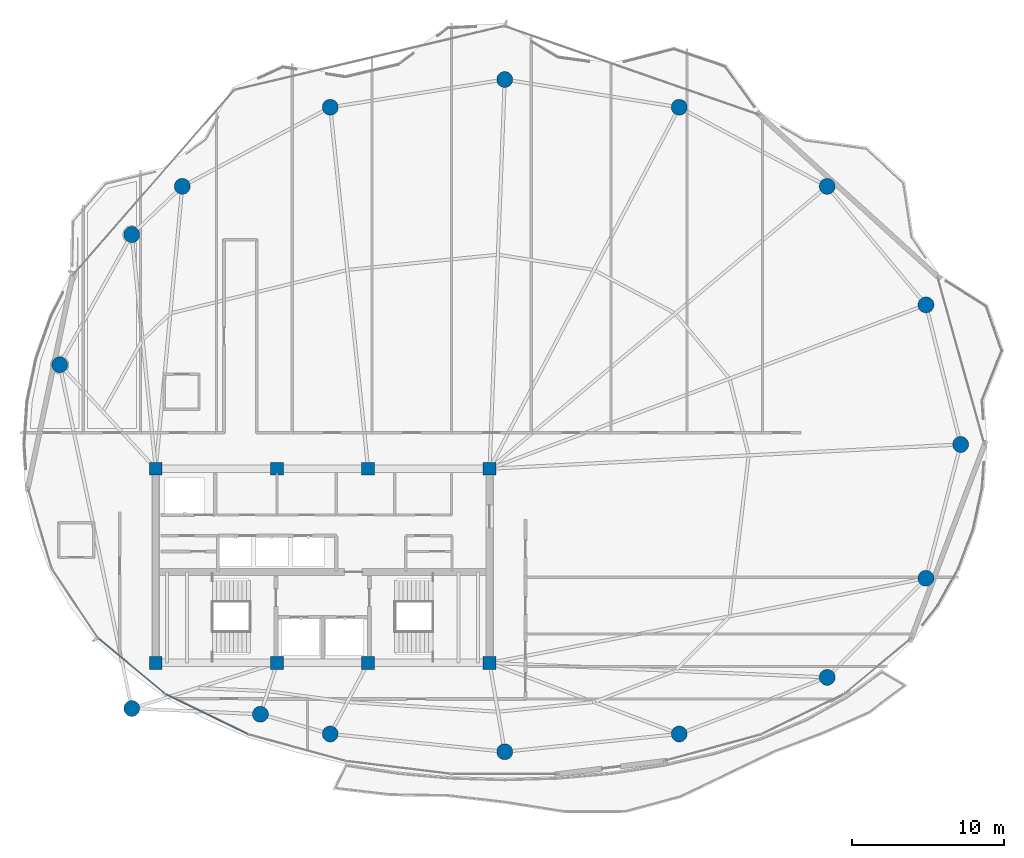
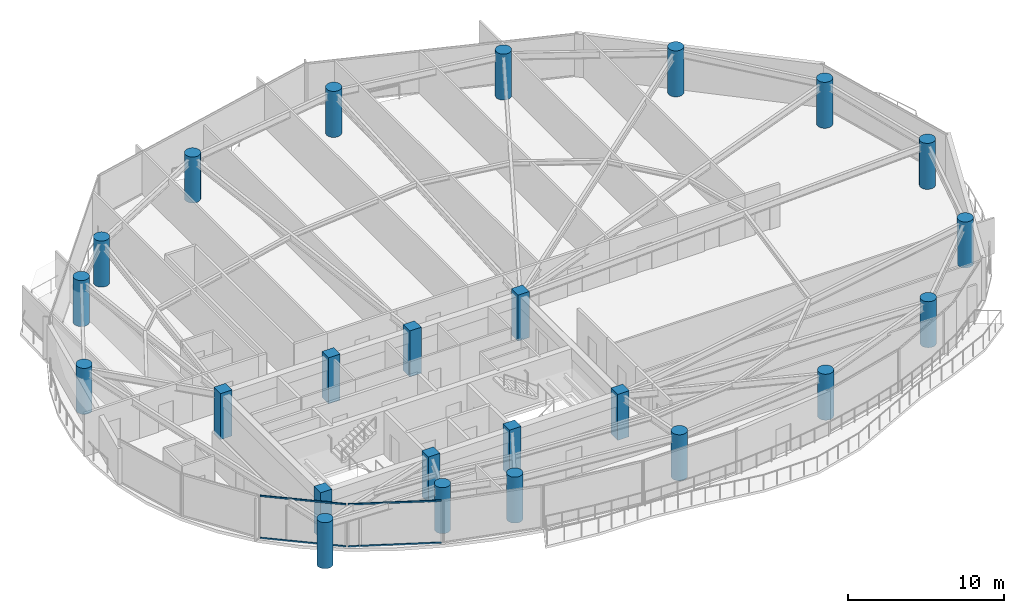
# One storey, part 1 of 29: 24 columns, 4 members, 2 elements without a shape of their own.
"""IFC4 building model written with IfcOpenShell, lengths in metres."""

from ifc_helpers import new_model, si_unit, direction, frame, origin, origin_2d, place, context, subcontext, project, spatial, rectangle, hollow_rectangle, circle, extrude, material, layer, layer_set, material_profile, profile_set, type_object, element, aggregate, save


model = new_model("IFC4")

# Units and contexts
model_context = context("Model", 3, precision=1e-05, world=origin(), true_north=direction((0.0, 1.0)))
body_context = subcontext(model_context, "Body", "Model", "MODEL_VIEW")
ifc_project = project(units=[si_unit("LENGTHUNIT", "METRE"), si_unit("AREAUNIT", "SQUARE_METRE"), si_unit("VOLUMEUNIT", "CUBIC_METRE"), si_unit("PLANEANGLEUNIT", "RADIAN"), si_unit("MASSUNIT", "GRAM", prefix="KILO")], contexts=[model_context])

# Site, building, storey
site_placement = place(None, origin())
site = spatial("IfcSite", under=ifc_project, at=site_placement, CompositionType="ELEMENT")
building_placement = place(site_placement, origin())
building = spatial("IfcBuilding", under=site, at=building_placement, Name="Kazevale Care Tower and Concert Hall", CompositionType="ELEMENT")
storey_placement = place(building_placement, frame((0.0, 0.0, 199.199951171875)))
storey = spatial("IfcBuildingStorey", under=building, at=storey_placement, Name="L52", CompositionType="ELEMENT", Elevation=199.199951171875)

# Columns
ifc_material_1 = material(Name="Concrete C50", Category="concrete")
ifc_material_profile_1 = material_profile(ifc_material_1, rectangle(XDim=0.85009765625, YDim=0.85009765625, at=origin_2d()), Name="RC-SQ850")
ifc_profile_set_1 = profile_set([ifc_material_profile_1], Name="Concrete C50")
column_type_1 = type_object("IfcColumnType", Name="Core Column SQ850 C50", PredefinedType="COLUMN", material=ifc_profile_set_1)
for number, where, z_axis, x_axis, name in (
    (1, (22.0, 23.60009765625, 0.0), (0.0, 0.0, 1.0), (1.0, 0.0, 0.0), "col:L52:CC-01"),
    (2, (30.0, 23.60009765625, 0.0), (0.0, 0.0, 1.0), (1.0, 0.0, 0.0), "col:L52:CC-02"),
    (3, (36.0, 23.60009765625, 0.0), (0.0, 0.0, 1.0), (1.0, 0.0, 0.0), "col:L52:CC-03"),
    (4, (44.0, 23.60009765625, 0.0), (0.0, 0.0, 1.0), (1.0, 0.0, 0.0), "col:L52:CC-04"),
    (5, (44.0, 36.39990234375, 0.0), (0.0, 0.0, 1.0), (1.0, 0.0, 0.0), "col:L52:CC-05"),
    (6, (36.0, 36.39990234375, 0.0), (0.0, 0.0, 1.0), (1.0, 0.0, 0.0), "col:L52:CC-06"),
    (7, (30.0, 36.39990234375, 0.0), (0.0, 0.0, 1.0), (1.0, 0.0, 0.0), "col:L52:CC-07"),
    (8, (22.0, 36.39990234375, 0.0), (0.0, 0.0, 1.0), (1.0, 0.0, 0.0), "col:L52:CC-08"),
):
    element("IfcColumn", number, at=place(storey_placement, frame(where, z_axis=z_axis, x_axis=x_axis)), inside=storey, type_object=column_type_1, Name=name, PredefinedType="COLUMN", context=body_context, shape_type="SweptSolid", body=[
        extrude(rectangle(XDim=0.85009765625, YDim=0.85009765625, at=origin_2d()), origin(), (0.0, 0.0, 1.0), 3.60009765625),
    ])
ifc_material_profile_2 = material_profile(ifc_material_1, circle(Radius=0.52490234375, at=origin_2d()), Name="RC-CIR1050")
ifc_profile_set_2 = profile_set([ifc_material_profile_2], Name="Concrete C50")
column_type_2 = type_object("IfcColumnType", Name="Perimeter Column CIR1050 C50", PredefinedType="COLUMN", material=ifc_profile_set_2)
for number, where, z_axis, x_axis, name in (
    (9, (75.050048828125, 38.0, 0.0), (0.0, 0.0, 1.0), (1.0, 0.0, 0.0), "col:L52:PC-01"),
    (10, (72.760009765625, 47.199951171875, 0.0), (0.0, 0.0, 1.0), (1.0, 0.0, 0.0), "col:L52:PC-02"),
    (11, (66.25, 55.010009765625, 0.0), (0.0, 0.0, 1.0), (1.0, 0.0, 0.0), "col:L52:PC-03"),
    (12, (56.5, 60.219970703125, 0.0), (0.0, 0.0, 1.0), (1.0, 0.0, 0.0), "col:L52:PC-04"),
    (13, (45.0, 62.050048828125, 0.0), (0.0, 0.0, 1.0), (1.0, 0.0, 0.0), "col:L52:PC-05"),
    (14, (33.5, 60.219970703125, 0.0), (0.0, 0.0, 1.0), (1.0, 0.0, 0.0), "col:L52:PC-06"),
    (15, (23.75, 55.010009765625, 0.0), (0.0, 0.0, 1.0), (1.0, 0.0, 0.0), "col:L52:PC-07"),
    (16, (20.419921875, 51.830078125, 0.0), (0.0, 0.0, 1.0), (1.0, 0.0, 0.0), "col:L52:PC-08"),
    (17, (15.669921875, 43.25, 0.0), (0.0, 0.0, 1.0), (1.0, 0.0, 0.0), "col:L52:PC-09"),
    (18, (20.419921875, 20.60009765625, 0.0), (0.0, 0.0, 1.0), (1.0, 0.0, 0.0), "col:L52:PC-10"),
    (19, (28.89990234375, 20.219970703125, 0.0), (0.0, 0.0, 1.0), (1.0, 0.0, 0.0), "col:L52:PC-11"),
    (20, (33.5, 18.919921875, 0.0), (0.0, 0.0, 1.0), (1.0, 0.0, 0.0), "col:L52:PC-12"),
    (21, (45.0, 17.75, 0.0), (0.0, 0.0, 1.0), (1.0, 0.0, 0.0), "col:L52:PC-13"),
    (22, (56.5, 18.919921875, 0.0), (0.0, 0.0, 1.0), (1.0, 0.0, 0.0), "col:L52:PC-14"),
    (23, (66.25, 22.64990234375, 0.0), (0.0, 0.0, 1.0), (1.0, 0.0, 0.0), "col:L52:PC-15"),
    (24, (72.760009765625, 29.179931640625, 0.0), (0.0, 0.0, 1.0), (1.0, 0.0, 0.0), "col:L52:PC-16"),
):
    element("IfcColumn", number, at=place(storey_placement, frame(where, z_axis=z_axis, x_axis=x_axis)), inside=storey, type_object=column_type_2, Name=name, PredefinedType="COLUMN", context=body_context, shape_type="SweptSolid", body=[
        extrude(circle(Radius=0.52490234375, at=origin_2d()), origin(), (0.0, 0.0, 1.0), 3.60009765625),
    ])

# Curtain wall, members
ifc_material_2 = material(Name="Aluminium 6063-T6 and Low-E Glass", Category="aluminium")
ifc_layer = layer(ifc_material_2, 0.179931640625)
ifc_layer_set = layer_set([ifc_layer], Name="Aluminium 6063-T6 and Low-E Glass")
curtain_wall_type = type_object("IfcCurtainWallType", Name="Sheltered Concave Balcony Curtain Wall CW-5", PredefinedType="NOTDEFINED", material=ifc_layer_set)
curtain_wall_1_placement = place(storey_placement, origin())
curtain_wall_1 = element("IfcCurtainWall", 25, at=curtain_wall_1_placement, inside=storey, type_object=curtain_wall_type, Name="cw:L52:f09", PredefinedType="NOTDEFINED")
ifc_material_3 = material(Name="Aluminium 6063-T6", Category="aluminium")
ifc_material_profile_3 = material_profile(ifc_material_3, hollow_rectangle(XDim=0.074951171875, YDim=0.1201171875, WallThickness=0.00390625, at=origin_2d()), Name="ALU75x120x4")
ifc_profile_set_3 = profile_set([ifc_material_profile_3], Name="Aluminium 6063-T6")
member_type = type_object("IfcMemberType", Name="CW-5 Transom ALU75x120x4", PredefinedType="USERDEFINED", material=ifc_profile_set_3)
member_1_placement = place(storey_placement, frame((28.07666015625, 18.90576171875, 0.03759765625), z_axis=(-0.899342308406, 0.437245254189, 0.0), x_axis=(-0.437245254189, -0.899342308406, 0.0)))
member_1 = element("IfcMember", 26, at=member_1_placement, type_object=member_type, Name="CW-5 transom 1.1", ObjectType="TRANSOM", PredefinedType="USERDEFINED", context=body_context, shape_type="SweptSolid", body=[
    extrude(hollow_rectangle(XDim=0.074951171875, YDim=0.1201171875, WallThickness=0.00390625, at=origin_2d()), origin(), (0.0, 0.0, 1.0), 6.00244140625),
])
member_2_placement = place(storey_placement, frame((28.07666015625, 18.90576171875, 3.322509765625), z_axis=(-0.899342308406, 0.437245254189, 0.0), x_axis=(-0.437245254189, -0.899342308406, 0.0)))
member_2 = element("IfcMember", 27, at=member_2_placement, type_object=member_type, Name="CW-5 transom 1.2", ObjectType="TRANSOM", PredefinedType="USERDEFINED", context=body_context, shape_type="SweptSolid", body=[
    extrude(hollow_rectangle(XDim=0.074951171875, YDim=0.1201171875, WallThickness=0.00390625, at=origin_2d()), origin(), (0.0, 0.0, 1.0), 6.00244140625),
])
aggregate(curtain_wall_1, [member_1, member_2])

curtain_wall_2_placement = place(storey_placement, origin())
curtain_wall_2 = element("IfcCurtainWall", 28, at=curtain_wall_2_placement, inside=storey, type_object=curtain_wall_type, Name="cw:L52:f10", PredefinedType="NOTDEFINED")
member_3_placement = place(storey_placement, frame((22.553466796875, 21.611083984375, 0.03759765625), z_axis=(-0.768432829708, 0.639930454211, 0.0), x_axis=(-0.639930454211, -0.768432829708, 0.0)))
member_3 = element("IfcMember", 29, at=member_3_placement, type_object=member_type, Name="CW-5 transom 1.1", ObjectType="TRANSOM", PredefinedType="USERDEFINED", context=body_context, shape_type="SweptSolid", body=[
    extrude(hollow_rectangle(XDim=0.074951171875, YDim=0.1201171875, WallThickness=0.00390625, at=origin_2d()), origin(), (0.0, 0.0, 1.0), 5.580078125),
])
member_4_placement = place(storey_placement, frame((22.553466796875, 21.611083984375, 3.322509765625), z_axis=(-0.768432829708, 0.639930454211, 0.0), x_axis=(-0.639930454211, -0.768432829708, 0.0)))
member_4 = element("IfcMember", 30, at=member_4_placement, type_object=member_type, Name="CW-5 transom 1.2", ObjectType="TRANSOM", PredefinedType="USERDEFINED", context=body_context, shape_type="SweptSolid", body=[
    extrude(hollow_rectangle(XDim=0.074951171875, YDim=0.1201171875, WallThickness=0.00390625, at=origin_2d()), origin(), (0.0, 0.0, 1.0), 5.580078125),
])
aggregate(curtain_wall_2, [member_3, member_4])

save(model, "model.ifc")
